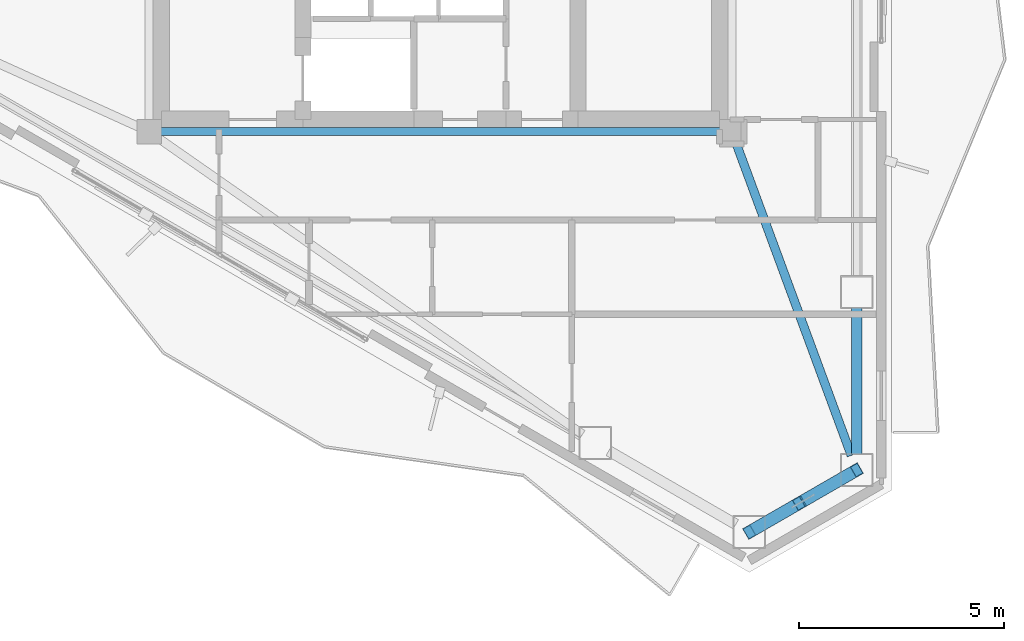
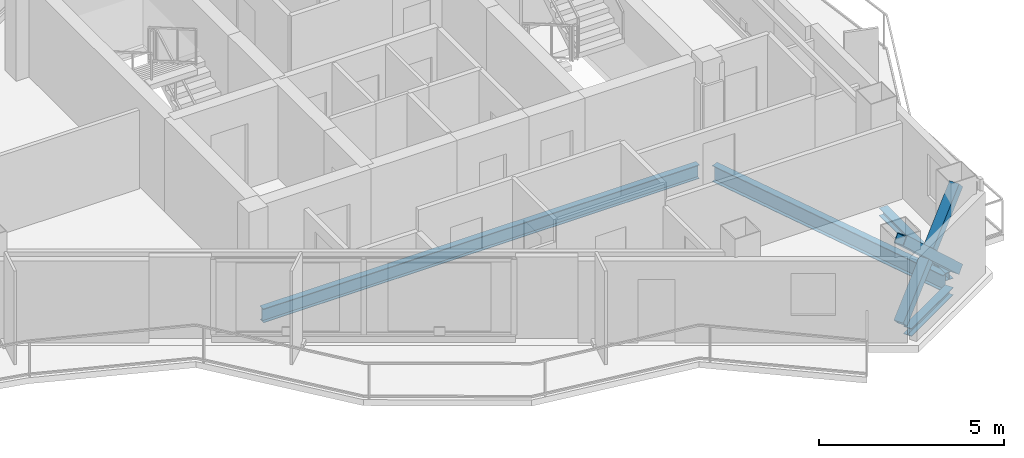
# One storey, part 6 of 18: 4 beams, 3 members.
"""IFC4 building model written with IfcOpenShell, lengths in metres."""

from ifc_helpers import new_model, si_unit, direction, frame, origin, origin_2d, place, context, subcontext, project, spatial, hollow_rectangle, i_section, extrude, material, material_profile, profile_set, type_object, element, save


model = new_model("IFC4")

# Units and contexts
model_context = context("Model", 3, precision=1e-05, world=origin(), true_north=direction((0.0, 1.0)))
body_context = subcontext(model_context, "Body", "Model", "MODEL_VIEW")
ifc_project = project(units=[si_unit("LENGTHUNIT", "METRE"), si_unit("AREAUNIT", "SQUARE_METRE"), si_unit("VOLUMEUNIT", "CUBIC_METRE"), si_unit("PLANEANGLEUNIT", "RADIAN"), si_unit("MASSUNIT", "GRAM", prefix="KILO")], contexts=[model_context])

# Site, building, storey
site_placement = place(None, origin())
site = spatial("IfcSite", under=ifc_project, at=site_placement, CompositionType="ELEMENT")
building_placement = place(site_placement, origin())
building = spatial("IfcBuilding", under=site, at=building_placement, Name="Mersakhor Tower and Convention Hall", CompositionType="ELEMENT")
storey_placement = place(building_placement, frame((0.0, 0.0, 226.5)))
storey = spatial("IfcBuildingStorey", under=building, at=storey_placement, Name="L63", CompositionType="ELEMENT", Elevation=226.5)

# Beams
ifc_material_1 = material(Name="Steel S355", Category="steel")
ifc_material_profile_1 = material_profile(ifc_material_1, i_section(OverallWidth=0.19140625, OverallDepth=0.4599609375, WebThickness=0.010009765625, FlangeThickness=0.01611328125, at=origin_2d()), Name="UB 457x191x82")
ifc_profile_set_1 = profile_set([ifc_material_profile_1], Name="Steel S355")
beam_type_1 = type_object("IfcBeamType", Name="BM-FB-457", PredefinedType="BEAM", material=ifc_profile_set_1)
beam_1_placement = place(storey_placement, frame((35.820068359375, 20.449951171875, -0.449951171875), z_axis=(-1.0, 0.0, 0.0), x_axis=(0.0, -1.0, 0.0)))
element("IfcBeam", 1, at=beam_1_placement, inside=storey, type_object=beam_type_1, Name="L63 Core Ring Tie Beam CRB-4", PredefinedType="BEAM", context=body_context, shape_type="SweptSolid", body=[
    extrude(i_section(OverallWidth=0.19140625, OverallDepth=0.4599609375, WebThickness=0.010009765625, FlangeThickness=0.01611328125, at=origin_2d()), origin(), (0.0, 0.0, 1.0), 13.64013671875),
])
ifc_material_2 = material(Name="Steel S355", Category="steel")
ifc_material_profile_2 = material_profile(ifc_material_2, i_section(OverallWidth=0.2099609375, OverallDepth=0.53662109375, WebThickness=0.0107421875, FlangeThickness=0.017333984375, at=origin_2d()), Name="UB 533x210x101")
ifc_profile_set_2 = profile_set([ifc_material_profile_2], Name="Steel S355")
beam_type_2 = type_object("IfcBeamType", Name="BM-FB-533", PredefinedType="BEAM", material=ifc_profile_set_2)
beam_2_placement = place(storey_placement, frame((36.197021484375, 20.187255859375, -0.48828125), z_axis=(0.346207764595, -0.938157867171, 0.0), x_axis=(0.938157867171, 0.346207764595, 0.0)))
element("IfcBeam", 2, at=beam_2_placement, inside=storey, type_object=beam_type_2, Name="L63 Primary Floor Girder FG-4", PredefinedType="BEAM", context=body_context, shape_type="SweptSolid", body=[
    extrude(i_section(OverallWidth=0.2099609375, OverallDepth=0.53662109375, WebThickness=0.0107421875, FlangeThickness=0.017333984375, at=origin_2d()), origin(), (0.0, 0.0, 1.0), 8.128662109375),
])
ifc_material_3 = material(Name="Steel S355", Category="steel")
ifc_material_profile_3 = material_profile(ifc_material_3, i_section(OverallWidth=0.25634765625, OverallDepth=0.26025390625, WebThickness=0.01025390625, FlangeThickness=0.017333984375, at=origin_2d()), Name="UC 254x254x89")
ifc_profile_set_3 = profile_set([ifc_material_profile_3], Name="Steel S355")
beam_type_3 = type_object("IfcBeamType", Name="BM-SPD-UC254", PredefinedType="SPANDREL", material=ifc_profile_set_3)
beam_3_placement = place(storey_placement, frame((39.142822265625, 16.1591796875, -0.35009765625), z_axis=(0.0, -1.0, 0.0), x_axis=(1.0, 0.0, 0.0)))
element("IfcBeam", 3, at=beam_3_placement, inside=storey, type_object=beam_type_3, Name="L63 Perimeter Spandrel Beam SPB-07", PredefinedType="SPANDREL", context=body_context, shape_type="SweptSolid", body=[
    extrude(i_section(OverallWidth=0.25634765625, OverallDepth=0.26025390625, WebThickness=0.01025390625, FlangeThickness=0.017333984375, at=origin_2d()), origin(), (0.0, 0.0, 1.0), 3.574462890625),
])
beam_4_placement = place(storey_placement, frame((38.813720703125, 12.0146484375, -0.35009765625), z_axis=(-0.866016678684, -0.500015112013, 0.0), x_axis=(0.500015112013, -0.866016678684, 0.0)))
element("IfcBeam", 4, at=beam_4_placement, inside=storey, type_object=beam_type_3, Name="L63 Perimeter Spandrel Beam SPB-08", PredefinedType="SPANDREL", context=body_context, shape_type="SweptSolid", body=[
    extrude(i_section(OverallWidth=0.25634765625, OverallDepth=0.26025390625, WebThickness=0.01025390625, FlangeThickness=0.017333984375, at=origin_2d()), origin(), (0.0, 0.0, 1.0), 2.2626953125),
])

# Members
ifc_material_4 = material(Name="Steel S355", Category="steel")
ifc_material_profile_4 = material_profile(ifc_material_4, hollow_rectangle(XDim=0.300048828125, YDim=0.300048828125, WallThickness=0.01611328125, at=origin_2d()), Name="SHS 300x300x16")
ifc_profile_set_4 = profile_set([ifc_material_profile_4], Name="Steel S355")
member_type = type_object("IfcMemberType", Name="MB-BRC-SHS300", PredefinedType="BRACE", material=ifc_profile_set_4)
member_placement = place(storey_placement, frame((39.142822265625, 12.20458984375, 0.14990234375), z_axis=(-0.637423019708, -0.367995569109, 0.676957277132), x_axis=(0.499978822259, -0.866037630414, 0.0)))
element("IfcMember", 5, at=member_placement, inside=storey, type_object=member_type, Name="L63 Chamfer Braced Frame Diagonal CB-2A", PredefinedType="BRACE", context=body_context, shape_type="SweptSolid", body=[
    extrude(hollow_rectangle(XDim=0.300048828125, YDim=0.300048828125, WallThickness=0.01611328125, at=origin_2d()), origin(), (0.0, 0.0, 1.0), 4.106689453125),
])
for number, where, z_axis, x_axis, name in (
    (6, (36.525146484375, 10.693359375, 0.14990234375), (0.6374128848, 0.367990943802, 0.676969334291), (-0.499980071345, 0.866036909293, 0.0), "L63 Chamfer Braced Frame Diagonal CB-2B Lower Half"),
    (7, (37.93505859375, 11.50732421875, 1.647216796875), (0.6374128848, 0.367990943802, 0.676969334291), (-0.499980071345, 0.866036909293, 0.0), "L63 Chamfer Braced Frame Diagonal CB-2B Upper Half"),
):
    element("IfcMember", number, at=place(storey_placement, frame(where, z_axis=z_axis, x_axis=x_axis)), inside=storey, type_object=member_type, Name=name, PredefinedType="BRACE", context=body_context, shape_type="SweptSolid", body=[
        extrude(hollow_rectangle(XDim=0.300048828125, YDim=0.300048828125, WallThickness=0.01611328125, at=origin_2d()), origin(), (0.0, 0.0, 1.0), 1.894775390625),
    ])

save(model, "model.ifc")
